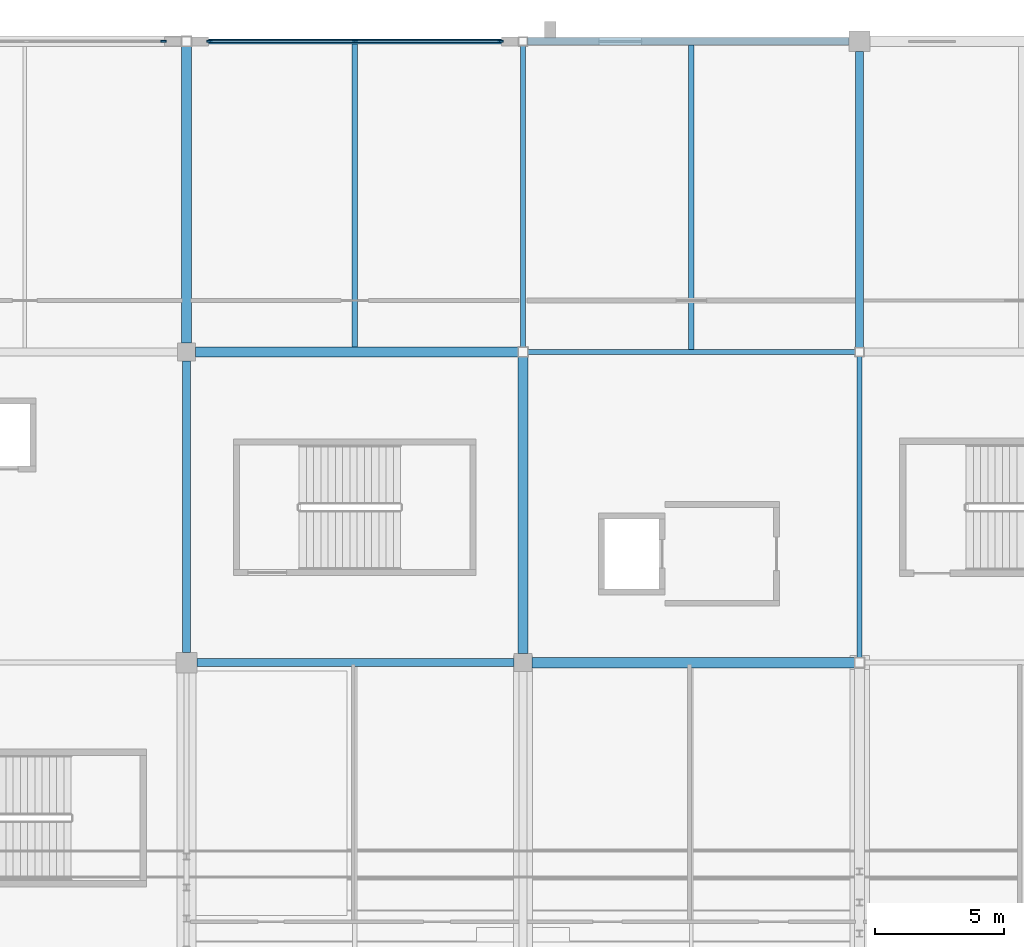
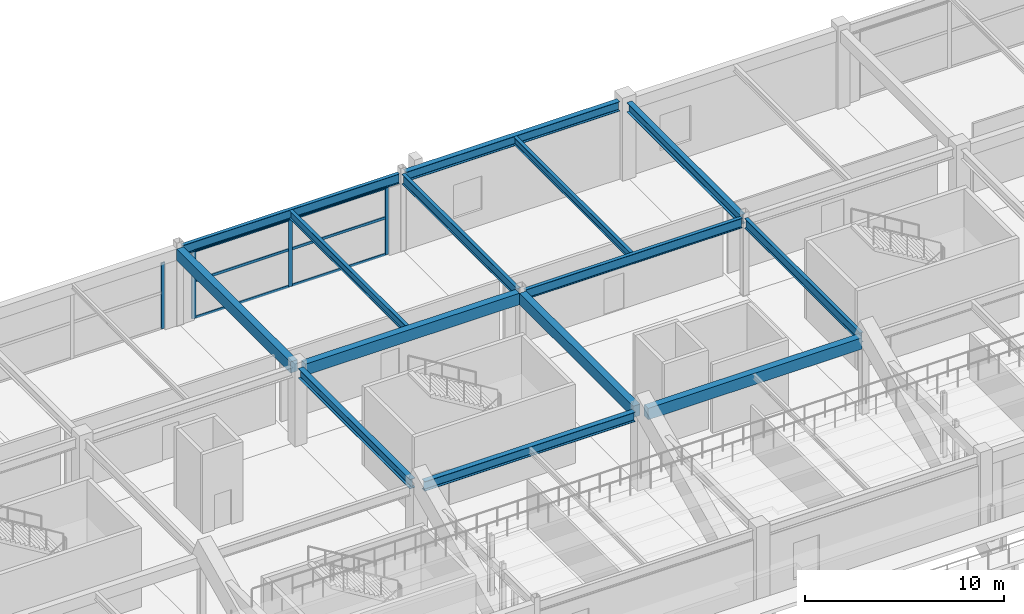
# One storey, part 65 of 128: 14 beams, 10 members, 2 elements without a shape of their own.
"""IFC4 building model written with IfcOpenShell, lengths in metres."""

from ifc_helpers import new_model, si_unit, direction, frame, origin, origin_2d, place, context, subcontext, project, spatial, rectangle, i_section, extrude, material, layer, layer_set, material_profile, profile_set, type_object, element, aggregate, save


model = new_model("IFC4")

# Units and contexts
model_context = context("Model", 3, precision=1e-05, world=origin(), true_north=direction((0.0, 1.0)))
body_context = subcontext(model_context, "Body", "Model", "MODEL_VIEW")
ifc_project = project(units=[si_unit("LENGTHUNIT", "METRE"), si_unit("AREAUNIT", "SQUARE_METRE"), si_unit("VOLUMEUNIT", "CUBIC_METRE"), si_unit("PLANEANGLEUNIT", "RADIAN"), si_unit("MASSUNIT", "GRAM", prefix="KILO")], contexts=[model_context])

# Site, building, storey
site_placement = place(None, origin())
site = spatial("IfcSite", under=ifc_project, at=site_placement, CompositionType="ELEMENT")
building_placement = place(site_placement, origin())
building = spatial("IfcBuilding", under=site, at=building_placement, Name="Kazenohara Klinker Stadium", CompositionType="ELEMENT")
storey_placement = place(building_placement, frame((0.0, 0.0, 15.300048828125)))
storey = spatial("IfcBuildingStorey", under=building, at=storey_placement, Name="L03", CompositionType="ELEMENT", Elevation=15.300048828125)

# Beams
ifc_material_1 = material(Name="Steel S355", Category="steel")
ifc_material_profile_1 = material_profile(ifc_material_1, i_section(OverallWidth=0.199951171875, OverallDepth=0.5, WebThickness=0.010009765625, FlangeThickness=0.01611328125, FilletRadius=0.012939453125, at=origin_2d()), Name="H-500x200x10x16")
ifc_profile_set_1 = profile_set([ifc_material_profile_1], Name="Steel S355")
beam_type_1 = type_object("IfcBeamType", Name="BM-JST01", PredefinedType="JOIST", material=ifc_profile_set_1)
beam_1_placement = place(storey_placement, frame((105.5, 156.199951171875, 4.510009765625), z_axis=(0.0, 1.0, 0.0), x_axis=(-1.0, 0.0, 0.0)))
element("IfcBeam", 1, at=beam_1_placement, inside=storey, type_object=beam_type_1, Name="Secondary floor joist SJ01 L03 9/P", PredefinedType="JOIST", context=body_context, shape_type="SweptSolid", body=[
    extrude(i_section(OverallWidth=0.199951171875, OverallDepth=0.5, WebThickness=0.010009765625, FlangeThickness=0.01611328125, FilletRadius=0.012939453125, at=origin_2d()), origin(), (0.0, 0.0, 1.0), 11.699951171875),
])
ifc_material_profile_2 = material_profile(ifc_material_1, i_section(OverallWidth=0.199951171875, OverallDepth=0.449951171875, WebThickness=0.009033203125, FlangeThickness=0.013916015625, FilletRadius=0.012939453125, at=origin_2d()), Name="H-450x200x9x14")
ifc_profile_set_2 = profile_set([ifc_material_profile_2], Name="Steel S355")
beam_type_2 = type_object("IfcBeamType", Name="BM-JST02", PredefinedType="JOIST", material=ifc_profile_set_2)
beam_2_placement = place(storey_placement, frame((118.5, 156.10009765625, 4.534912109375), z_axis=(0.0, 1.0, 0.0), x_axis=(-1.0, 0.0, 0.0)))
element("IfcBeam", 2, at=beam_2_placement, inside=storey, type_object=beam_type_2, Name="Secondary floor joist SJ02 L03 10/P", PredefinedType="JOIST", context=body_context, shape_type="SweptSolid", body=[
    extrude(i_section(OverallWidth=0.199951171875, OverallDepth=0.449951171875, WebThickness=0.009033203125, FlangeThickness=0.013916015625, FilletRadius=0.012939453125, at=origin_2d()), origin(), (0.0, 0.0, 1.0), 11.75),
])
ifc_material_2 = material(Name="Concrete C40/50", Category="concrete")
ifc_material_profile_3 = material_profile(ifc_material_2, rectangle(XDim=0.39990234375, YDim=0.699951171875, at=origin_2d()), Name="RC-BM-400x700")
ifc_profile_set_3 = profile_set([ifc_material_profile_3], Name="Concrete C40/50")
beam_type_3 = type_object("IfcBeamType", Name="BM-RC04", PredefinedType="BEAM", material=ifc_profile_set_3)
for number, where, z_axis, x_axis, name in (
    (3, (99.35009765625, 156.0, 4.409912109375), (1.0, 0.0, 0.0), (0.0, 1.0, 0.0), "Primary girder BG04 L03 9-10/P"),
    (4, (112.35009765625, 144.0, 4.409912109375), (1.0, 0.0, 0.0), (0.0, 1.0, 0.0), "Primary girder BG04 L03 10-11/N"),
):
    element("IfcBeam", number, at=place(storey_placement, frame(where, z_axis=z_axis, x_axis=x_axis)), inside=storey, type_object=beam_type_3, Name=name, PredefinedType="BEAM", context=body_context, shape_type="SweptSolid", body=[
        extrude(rectangle(XDim=0.39990234375, YDim=0.699951171875, at=origin_2d()), origin(), (0.0, 0.0, 1.0), 12.449951171875),
    ])
for number, where, z_axis, x_axis, name in (
    (5, (99.0, 156.35009765625, 4.409912109375), (0.0, 1.0, 0.0), (-1.0, 0.0, 0.0), "Primary girder BG04 L03 9/P-Q"),
    (6, (112.0, 144.35009765625, 4.409912109375), (0.0, 1.0, 0.0), (-1.0, 0.0, 0.0), "Primary girder BG04 L03 10/N-P"),
):
    element("IfcBeam", number, at=place(storey_placement, frame(where, z_axis=z_axis, x_axis=x_axis)), inside=storey, type_object=beam_type_3, Name=name, PredefinedType="BEAM", context=body_context, shape_type="SweptSolid", body=[
        extrude(rectangle(XDim=0.39990234375, YDim=0.699951171875, at=origin_2d()), origin(), (0.0, 0.0, 1.0), 11.449951171875),
    ])
ifc_material_profile_4 = material_profile(ifc_material_1, i_section(OverallWidth=0.199951171875, OverallDepth=0.60009765625, WebThickness=0.010986328125, FlangeThickness=0.01708984375, FilletRadius=0.012939453125, at=origin_2d()), Name="H-600x200x11x17")
ifc_profile_set_4 = profile_set([ifc_material_profile_4], Name="Steel S355")
beam_type_4 = type_object("IfcBeamType", Name="BM-ST04", PredefinedType="BEAM", material=ifc_profile_set_4)
for number, where, z_axis, x_axis, name in (
    (7, (99.199951171875, 168.0, 4.4599609375), (1.0, 0.0, 0.0), (0.0, 1.0, 0.0), "Primary girder SB04 L03 9-10/Q"),
    (8, (112.199951171875, 156.0, 4.4599609375), (1.0, 0.0, 0.0), (0.0, 1.0, 0.0), "Primary girder SB04 L03 10-11/P"),
):
    element("IfcBeam", number, at=place(storey_placement, frame(where, z_axis=z_axis, x_axis=x_axis)), inside=storey, type_object=beam_type_4, Name=name, PredefinedType="BEAM", context=body_context, shape_type="SweptSolid", body=[
        extrude(i_section(OverallWidth=0.199951171875, OverallDepth=0.60009765625, WebThickness=0.010986328125, FlangeThickness=0.01708984375, FilletRadius=0.012939453125, at=origin_2d()), origin(), (0.0, 0.0, 1.0), 12.625),
    ])
for number, where, z_axis, x_axis, name in (
    (9, (112.0, 156.199951171875, 4.4599609375), (0.0, 1.0, 0.0), (-1.0, 0.0, 0.0), "Primary girder SB04 L03 10/P-Q"),
    (10, (125.0, 144.199951171875, 4.4599609375), (0.0, 1.0, 0.0), (-1.0, 0.0, 0.0), "Primary girder SB04 L03 11/N-P"),
):
    element("IfcBeam", number, at=place(storey_placement, frame(where, z_axis=z_axis, x_axis=x_axis)), inside=storey, type_object=beam_type_4, Name=name, PredefinedType="BEAM", context=body_context, shape_type="SweptSolid", body=[
        extrude(i_section(OverallWidth=0.199951171875, OverallDepth=0.60009765625, WebThickness=0.010986328125, FlangeThickness=0.01708984375, FilletRadius=0.012939453125, at=origin_2d()), origin(), (0.0, 0.0, 1.0), 11.625),
    ])
ifc_material_profile_5 = material_profile(ifc_material_1, i_section(OverallWidth=0.300048828125, OverallDepth=0.587890625, WebThickness=0.011962890625, FlangeThickness=0.02001953125, FilletRadius=0.02197265625, at=origin_2d()), Name="H-588x300x12x20")
ifc_profile_set_5 = profile_set([ifc_material_profile_5], Name="Steel S355")
beam_type_5 = type_object("IfcBeamType", Name="BM-ST05", PredefinedType="BEAM", material=ifc_profile_set_5)
beam_3_placement = place(storey_placement, frame((99.39990234375, 144.0, 4.466064453125), z_axis=(1.0, 0.0, 0.0), x_axis=(0.0, 1.0, 0.0)))
element("IfcBeam", 11, at=beam_3_placement, inside=storey, type_object=beam_type_5, Name="Primary girder SB05 L03 9-10/N", PredefinedType="BEAM", context=body_context, shape_type="SweptSolid", body=[
    extrude(i_section(OverallWidth=0.300048828125, OverallDepth=0.587890625, WebThickness=0.011962890625, FlangeThickness=0.02001953125, FilletRadius=0.02197265625, at=origin_2d()), origin(), (0.0, 0.0, 1.0), 12.25),
])
beam_4_placement = place(storey_placement, frame((112.175048828125, 168.0, 4.466064453125), z_axis=(1.0, 0.0, 0.0), x_axis=(0.0, 1.0, 0.0)))
element("IfcBeam", 12, at=beam_4_placement, inside=storey, type_object=beam_type_5, Name="Primary girder SB05 L03 10-11/Q", PredefinedType="BEAM", context=body_context, shape_type="SweptSolid", body=[
    extrude(i_section(OverallWidth=0.300048828125, OverallDepth=0.587890625, WebThickness=0.011962890625, FlangeThickness=0.02001953125, FilletRadius=0.02197265625, at=origin_2d()), origin(), (0.0, 0.0, 1.0), 12.425048828125),
])
beam_5_placement = place(storey_placement, frame((99.0, 144.39990234375, 4.466064453125), z_axis=(0.0, 1.0, 0.0), x_axis=(-1.0, 0.0, 0.0)))
element("IfcBeam", 13, at=beam_5_placement, inside=storey, type_object=beam_type_5, Name="Primary girder SB05 L03 9/N-P", PredefinedType="BEAM", context=body_context, shape_type="SweptSolid", body=[
    extrude(i_section(OverallWidth=0.300048828125, OverallDepth=0.587890625, WebThickness=0.011962890625, FlangeThickness=0.02001953125, FilletRadius=0.02197265625, at=origin_2d()), origin(), (0.0, 0.0, 1.0), 11.25),
])
beam_6_placement = place(storey_placement, frame((125.0, 156.175048828125, 4.466064453125), z_axis=(0.0, 1.0, 0.0), x_axis=(-1.0, 0.0, 0.0)))
element("IfcBeam", 14, at=beam_6_placement, inside=storey, type_object=beam_type_5, Name="Primary girder SB05 L03 11/P-Q", PredefinedType="BEAM", context=body_context, shape_type="SweptSolid", body=[
    extrude(i_section(OverallWidth=0.300048828125, OverallDepth=0.587890625, WebThickness=0.011962890625, FlangeThickness=0.02001953125, FilletRadius=0.02197265625, at=origin_2d()), origin(), (0.0, 0.0, 1.0), 11.425048828125),
])

# Curtain wall, member
ifc_material_3 = material(Name="Anodised aluminium and triple glazing", Category="aluminium")
ifc_layer_1 = layer(ifc_material_3, 0.179931640625)
ifc_layer_set_1 = layer_set([ifc_layer_1], Name="Anodised aluminium and triple glazing")
curtain_wall_type_1 = type_object("IfcCurtainWallType", Name="CW-SYS-02", PredefinedType="USERDEFINED", material=ifc_layer_set_1)
curtain_wall_1_placement = place(storey_placement, origin())
curtain_wall_1 = element("IfcCurtainWall", 15, at=curtain_wall_1_placement, inside=storey, type_object=curtain_wall_type_1, Name="Unitised facade curtain wall CW02 L03 X7-14", ObjectType="UNITISED CURTAIN WALL", PredefinedType="USERDEFINED")
ifc_material_4 = material(Name="Anodised aluminium 6063-T6", Category="aluminium")
ifc_material_profile_6 = material_profile(ifc_material_4, rectangle(XDim=0.074951171875, YDim=0.219970703125, at=origin_2d()), Name="ALU-MUL-75x220")
ifc_profile_set_6 = profile_set([ifc_material_profile_6], Name="Anodised aluminium 6063-T6")
member_type_1 = type_object("IfcMemberType", Name="CW-MUL-220", PredefinedType="MULLION", material=ifc_profile_set_6)
member_1_placement = place(storey_placement, frame((98.1083984375, 168.0, 0.0), z_axis=(0.0, 0.0, 1.0), x_axis=(0.0, 1.0, 0.0)))
member_1 = element("IfcMember", 16, at=member_1_placement, type_object=member_type_1, Name="CW02 mullion 3", PredefinedType="MULLION", context=body_context, shape_type="SweptSolid", body=[
    extrude(rectangle(XDim=0.074951171875, YDim=0.219970703125, at=origin_2d()), origin(), (0.0, 0.0, 1.0), 4.06005859375),
])
aggregate(curtain_wall_1, [member_1])

# Curtain wall, members
ifc_layer_2 = layer(ifc_material_3, 0.169921875)
ifc_layer_set_2 = layer_set([ifc_layer_2], Name="Anodised aluminium and triple glazing")
curtain_wall_type_2 = type_object("IfcCurtainWallType", Name="CW-SYS-04", PredefinedType="USERDEFINED", material=ifc_layer_set_2)
curtain_wall_2_placement = place(storey_placement, origin())
curtain_wall_2 = element("IfcCurtainWall", 17, at=curtain_wall_2_placement, inside=storey, type_object=curtain_wall_type_2, Name="Unitised facade curtain wall CW04 L03 X8-14", ObjectType="UNITISED CURTAIN WALL", PredefinedType="USERDEFINED")
member_2_placement = place(storey_placement, frame((99.8916015625, 168.0, 0.0), z_axis=(0.0, 0.0, 1.0), x_axis=(0.0, 1.0, 0.0)))
member_2 = element("IfcMember", 18, at=member_2_placement, type_object=member_type_1, Name="CW04 mullion 1", PredefinedType="MULLION", context=body_context, shape_type="SweptSolid", body=[
    extrude(rectangle(XDim=0.074951171875, YDim=0.219970703125, at=origin_2d()), origin(), (0.0, 0.0, 1.0), 4.159912109375),
])
member_3_placement = place(storey_placement, frame((105.512451171875, 168.0, 0.0), z_axis=(0.0, 0.0, 1.0), x_axis=(0.0, 1.0, 0.0)))
member_3 = element("IfcMember", 19, at=member_3_placement, type_object=member_type_1, Name="CW04 mullion 2", PredefinedType="MULLION", context=body_context, shape_type="SweptSolid", body=[
    extrude(rectangle(XDim=0.074951171875, YDim=0.219970703125, at=origin_2d()), origin(), (0.0, 0.0, 1.0), 4.159912109375),
])
member_4_placement = place(storey_placement, frame((111.133544921875, 168.0, 0.0), z_axis=(0.0, 0.0, 1.0), x_axis=(0.0, 1.0, 0.0)))
member_4 = element("IfcMember", 20, at=member_4_placement, type_object=member_type_1, Name="CW04 mullion 3", PredefinedType="MULLION", context=body_context, shape_type="SweptSolid", body=[
    extrude(rectangle(XDim=0.074951171875, YDim=0.219970703125, at=origin_2d()), origin(), (0.0, 0.0, 1.0), 4.159912109375),
])
ifc_material_profile_7 = material_profile(ifc_material_4, rectangle(XDim=0.074951171875, YDim=0.159912109375, at=origin_2d()), Name="ALU-TRN-75x160")
ifc_profile_set_7 = profile_set([ifc_material_profile_7], Name="Anodised aluminium 6063-T6")
member_type_2 = type_object("IfcMemberType", Name="CW-TRN-160", PredefinedType="USERDEFINED", material=ifc_profile_set_7)
member_5_placement = place(storey_placement, frame((99.928955078125, 168.0, 0.037353515625), z_axis=(1.0, 0.0, 0.0), x_axis=(0.0, 1.0, 0.0)))
member_5 = element("IfcMember", 21, at=member_5_placement, type_object=member_type_2, Name="CW04 transom 1.1", ObjectType="TRANSOM", PredefinedType="USERDEFINED", context=body_context, shape_type="SweptSolid", body=[
    extrude(rectangle(XDim=0.074951171875, YDim=0.159912109375, at=origin_2d()), origin(), (0.0, 0.0, 1.0), 5.546142578125),
])
member_6_placement = place(storey_placement, frame((99.928955078125, 168.0, 2.287841796875), z_axis=(1.0, 0.0, 0.0), x_axis=(0.0, 1.0, 0.0)))
member_6 = element("IfcMember", 22, at=member_6_placement, type_object=member_type_2, Name="CW04 transom 1.2", ObjectType="TRANSOM", PredefinedType="USERDEFINED", context=body_context, shape_type="SweptSolid", body=[
    extrude(rectangle(XDim=0.074951171875, YDim=0.159912109375, at=origin_2d()), origin(), (0.0, 0.0, 1.0), 5.546142578125),
])
member_7_placement = place(storey_placement, frame((99.928955078125, 168.0, 4.12255859375), z_axis=(1.0, 0.0, 0.0), x_axis=(0.0, 1.0, 0.0)))
member_7 = element("IfcMember", 23, at=member_7_placement, type_object=member_type_2, Name="CW04 transom 1.3", ObjectType="TRANSOM", PredefinedType="USERDEFINED", context=body_context, shape_type="SweptSolid", body=[
    extrude(rectangle(XDim=0.074951171875, YDim=0.159912109375, at=origin_2d()), origin(), (0.0, 0.0, 1.0), 5.546142578125),
])
member_8_placement = place(storey_placement, frame((105.550048828125, 168.0, 0.037353515625), z_axis=(1.0, 0.0, 0.0), x_axis=(0.0, 1.0, 0.0)))
member_8 = element("IfcMember", 24, at=member_8_placement, type_object=member_type_2, Name="CW04 transom 2.1", ObjectType="TRANSOM", PredefinedType="USERDEFINED", context=body_context, shape_type="SweptSolid", body=[
    extrude(rectangle(XDim=0.074951171875, YDim=0.159912109375, at=origin_2d()), origin(), (0.0, 0.0, 1.0), 5.5458984375),
])
member_9_placement = place(storey_placement, frame((105.550048828125, 168.0, 2.287841796875), z_axis=(1.0, 0.0, 0.0), x_axis=(0.0, 1.0, 0.0)))
member_9 = element("IfcMember", 25, at=member_9_placement, type_object=member_type_2, Name="CW04 transom 2.2", ObjectType="TRANSOM", PredefinedType="USERDEFINED", context=body_context, shape_type="SweptSolid", body=[
    extrude(rectangle(XDim=0.074951171875, YDim=0.159912109375, at=origin_2d()), origin(), (0.0, 0.0, 1.0), 5.5458984375),
])
member_10_placement = place(storey_placement, frame((105.550048828125, 168.0, 4.12255859375), z_axis=(1.0, 0.0, 0.0), x_axis=(0.0, 1.0, 0.0)))
member_10 = element("IfcMember", 26, at=member_10_placement, type_object=member_type_2, Name="CW04 transom 2.3", ObjectType="TRANSOM", PredefinedType="USERDEFINED", context=body_context, shape_type="SweptSolid", body=[
    extrude(rectangle(XDim=0.074951171875, YDim=0.159912109375, at=origin_2d()), origin(), (0.0, 0.0, 1.0), 5.5458984375),
])
aggregate(curtain_wall_2, [member_2, member_3, member_4, member_5, member_6, member_7, member_8, member_9, member_10])

save(model, "model.ifc")
